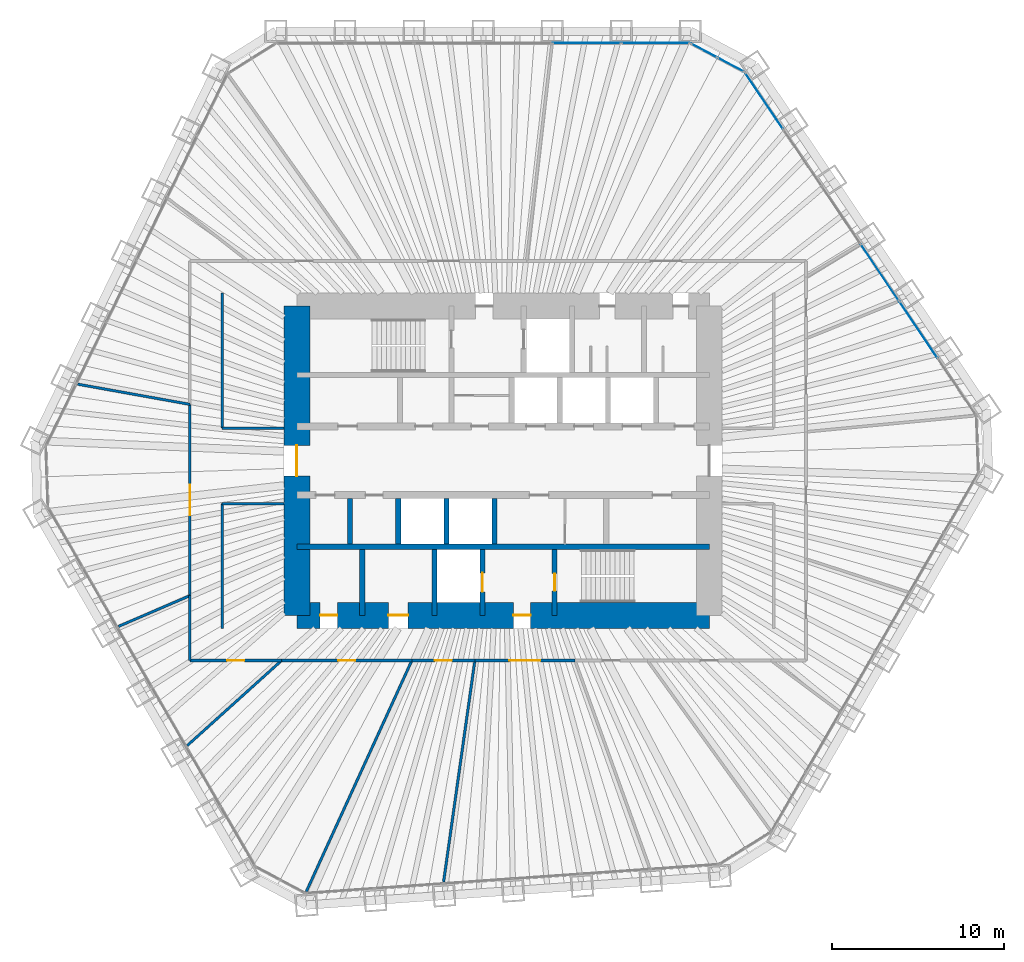
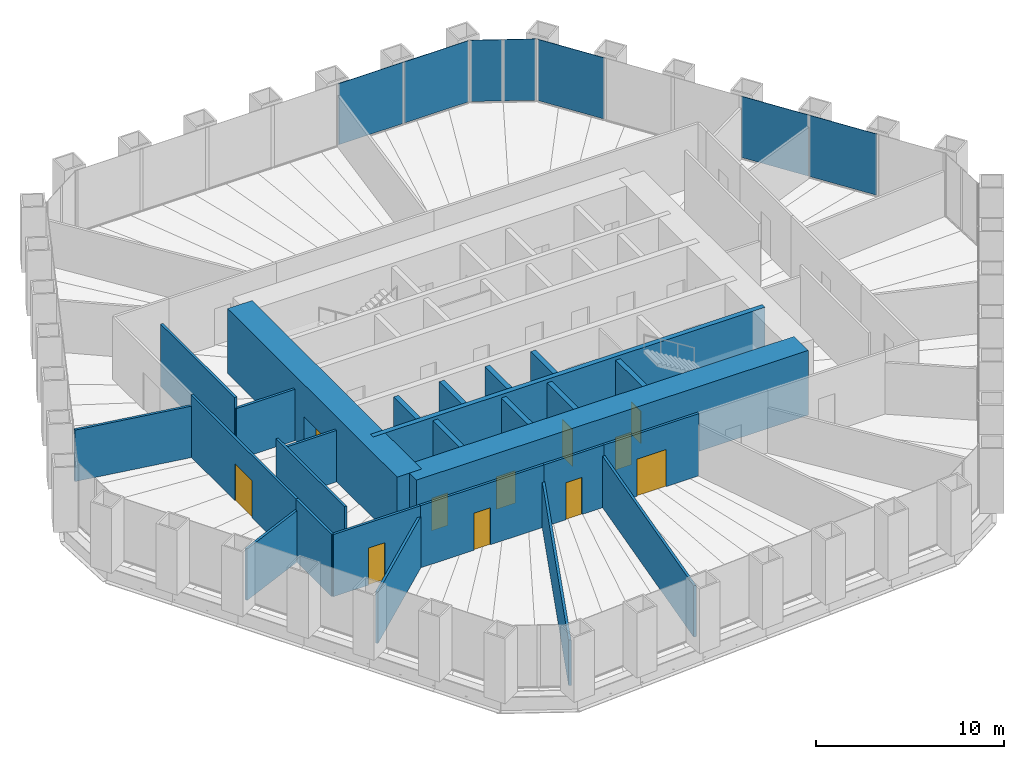
# One storey, part 10 of 13: 26 walls, 11 doors, 7 plates, 11 openings, 3 elements without a shape of their own.
"""IFC4 building model written with IfcOpenShell, lengths in metres."""

import ifcopenshell
import ifcopenshell.guid

model = None  # the IFC model being written
_history = None  # IfcOwnerHistory: only IFC2X3 demands one
_inside = {}  # id of a spatial element -> (the spatial element, [elements in it])
_under = {}  # id of a project, library or spatial element -> (it, [spatial elements below it])
_declared = {}  # id of a project -> (the project, [libraries it declares])
_typed = {}  # id of a type object -> (the type object, [elements of that type])
_made_of = {}  # id of a material, layer set ... -> (it, [elements and type objects made of it])


def new_model(schema):
    """Start an empty IFC model of exactly this schema.

    Asked for "IFC4X3", IfcOpenShell would pick the latest addendum, in which some entities
    have other attributes; the version numbers below select the first issue.
    IFC2X3 requires an IfcOwnerHistory on every rooted entity: one is made here for all.
    """
    global model, _history
    if schema == "IFC4X3":
        model = ifcopenshell.file(schema_version=(4, 3, 0, 0))
    else:
        model = ifcopenshell.file(schema=schema)
    _inside.clear()
    _under.clear()
    _declared.clear()
    _typed.clear()
    _made_of.clear()
    _history = None
    if model.schema == "IFC2X3":
        org = make("IfcOrganization", Name="unknown")
        user = make(
            "IfcPersonAndOrganization",
            ThePerson=make("IfcPerson", FamilyName="unknown"),
            TheOrganization=org,
        )
        app = make(
            "IfcApplication",
            ApplicationDeveloper=org,
            Version="unknown",
            ApplicationFullName="unknown",
            ApplicationIdentifier="unknown",
        )
        _history = make(
            "IfcOwnerHistory",
            OwningUser=user,
            OwningApplication=app,
            ChangeAction="ADDED",
            CreationDate=0,
        )
    return model


def make(cls, **values):
    """One entity of the class cls with the attributes given. An attribute that is None is left unset."""
    return model.create_entity(
        cls, **{name: value for name, value in values.items() if value is not None}
    )


def rooted(cls, **values):
    """An entity with a GlobalId (a new one), such as an element, a storey or a relation."""
    return make(cls, GlobalId=ifcopenshell.guid.new(), OwnerHistory=_history, **values)


def si_unit(unit_type, name, prefix=None):
    """IfcSIUnit, for example si_unit("LENGTHUNIT", "METRE", prefix="MILLI")."""
    return make("IfcSIUnit", UnitType=unit_type, Prefix=prefix, Name=name)


def assignment(units):
    """IfcUnitAssignment: the units of a project."""
    return None if units is None else make("IfcUnitAssignment", Units=units)


def point(xyz):
    """IfcCartesianPoint."""
    return None if xyz is None else make("IfcCartesianPoint", Coordinates=xyz)


def direction(xyz):
    """IfcDirection."""
    return None if xyz is None else make("IfcDirection", DirectionRatios=xyz)


def frame(location, z_axis=None, x_axis=None):
    """IfcAxis2Placement3D, a coordinate frame: its origin and axes. An axis left out is left unset."""
    return make(
        "IfcAxis2Placement3D",
        Location=point(location),
        Axis=direction(z_axis),
        RefDirection=direction(x_axis),
    )


def frame_2d(location, x_axis=None):
    """IfcAxis2Placement2D, a coordinate frame in the plane: its origin and x axis."""
    return make(
        "IfcAxis2Placement2D", Location=point(location), RefDirection=direction(x_axis)
    )


def origin():
    """The frame at (0, 0, 0) with its axes left unset."""
    return frame((0.0, 0.0, 0.0))


def origin_2d():
    """The frame at (0, 0) in the plane with its x axis left unset."""
    return frame_2d((0.0, 0.0))


def place(relative_to, where):
    """IfcLocalPlacement: puts the frame where relative to a parent placement (None: the world)."""
    return make(
        "IfcLocalPlacement", PlacementRelTo=relative_to, RelativePlacement=where
    )


def context(
    kind, dimensions, precision=None, world=None, true_north=None, identifier=None
):
    """IfcGeometricRepresentationContext, for example the 3D "Model" context."""
    return make(
        "IfcGeometricRepresentationContext",
        ContextIdentifier=identifier,
        ContextType=kind,
        CoordinateSpaceDimension=dimensions,
        Precision=precision,
        WorldCoordinateSystem=world,
        TrueNorth=true_north,
    )


def subcontext(parent, identifier, kind, view, scale=None):
    """IfcGeometricRepresentationSubContext, for example "Body" below "Model"."""
    return make(
        "IfcGeometricRepresentationSubContext",
        ContextIdentifier=identifier,
        ContextType=kind,
        ParentContext=parent,
        TargetScale=scale,
        TargetView=view,
    )


def project(units=None, contexts=None):
    """IfcProject with its units and contexts."""
    return rooted(
        "IfcProject",
        Name="project",
        RepresentationContexts=contexts,
        UnitsInContext=assignment(units),
    )


def spatial(cls, under=None, at=None, **own):
    """A site, building, storey or space (cls), placed at a placement, below another one or the project."""
    s = rooted(cls, ObjectPlacement=at, **own)
    if under is not None:
        _under.setdefault(under.id(), (under, []))[1].append(s)
    return s


def profile(cls, at=None, kind="AREA", **sizes):
    """A parametric profile (cls). Its sizes go by their IFC names, for example OverallWidth=200.0."""
    return make(cls, ProfileType=kind, Position=at, **sizes)


def rectangle(**sizes):
    """IfcRectangleProfileDef."""
    return profile("IfcRectangleProfileDef", **sizes)


def extrude(swept, where, along, depth):
    """IfcExtrudedAreaSolid: the profile swept, set in the frame where, extruded along a direction by depth."""
    return make(
        "IfcExtrudedAreaSolid",
        SweptArea=swept,
        Position=where,
        ExtrudedDirection=direction(along),
        Depth=depth,
    )


def shape(context_of_items, identifier, shape_type, items):
    """IfcShapeRepresentation: the items that make up one representation, for example the "Body"."""
    return make(
        "IfcShapeRepresentation",
        ContextOfItems=context_of_items,
        RepresentationIdentifier=identifier,
        RepresentationType=shape_type,
        Items=items,
    )


def material(Name=None, Category=None):
    """IfcMaterial."""
    return make("IfcMaterial", Name=Name, Category=Category)


def layer(
    of_material, thickness, ventilated=None, Name=None, Category=None, Priority=None
):
    """IfcMaterialLayer: one layer of a wall or slab, of a material (None: an air gap)."""
    return make(
        "IfcMaterialLayer",
        Material=of_material,
        LayerThickness=thickness,
        IsVentilated=ventilated,
        Name=Name,
        Category=Category,
        Priority=Priority,
    )


def layer_set(layers, Name=None):
    """IfcMaterialLayerSet."""
    return make("IfcMaterialLayerSet", MaterialLayers=layers, LayerSetName=Name)


def made_of(thing, what):
    """Note that an element or type object is made of a material, layer set ...; save() writes the relation."""
    if what is not None:
        _made_of.setdefault(what.id(), (what, []))[1].append(thing)
    return thing


def type_object(cls, material=None, **own):
    """A type object (cls), such as IfcWallType, which elements share."""
    return made_of(rooted(cls, **own), material)


def element(
    cls,
    number,
    at=None,
    inside=None,
    cuts=None,
    type_object=None,
    material=None,
    context=None,
    identifier="Body",
    shape_type=None,
    held_by="IfcProductDefinitionShape",
    body=None,
    shapes=None,
    **own,
):
    """One element of the class cls, such as IfcWall. Its Tag is "e" and its number.

    at: its placement. inside: the storey or other place that contains it. cuts: it is an
    opening in that element (IfcRelVoidsElement). A single representation is given by context,
    identifier, shape_type and body (its items); several are given by shapes. held_by: the class
    of the entity that holds the representations. save() writes the other relations.
    """
    e = rooted(cls, Tag="e%d" % number, ObjectPlacement=at, **own)
    if body is not None:
        shapes = [shape(context, identifier, shape_type, body)]
    if shapes is not None:
        e.Representation = make(held_by, Representations=shapes)
    if inside is not None:
        _inside.setdefault(inside.id(), (inside, []))[1].append(e)
    if cuts is not None:
        rooted(
            "IfcRelVoidsElement", RelatingBuildingElement=cuts, RelatedOpeningElement=e
        )
    if type_object is not None:
        _typed.setdefault(type_object.id(), (type_object, []))[1].append(e)
    return made_of(e, material)


def fill(opening, filler):
    """IfcRelFillsElement: the door or window that sits in an opening."""
    return rooted(
        "IfcRelFillsElement",
        RelatingOpeningElement=opening,
        RelatedBuildingElement=filler,
    )


def aggregate(whole, parts):
    """IfcRelAggregates: a whole, such as a stair, and the parts it consists of."""
    return rooted("IfcRelAggregates", RelatingObject=whole, RelatedObjects=parts)


def save(model, path):
    """Write the relations noted so far, then the file.

    IfcRelAggregates (storeys below a building ...), IfcRelContainedInSpatialStructure (elements
    in a storey), IfcRelDefinesByType, IfcRelAssociatesMaterial and IfcRelDeclares: one each for
    every whole, place, type object, material and project.
    """
    for whole, parts in _under.values():
        aggregate(whole, parts)
    for where, things in _inside.values():
        rooted(
            "IfcRelContainedInSpatialStructure",
            RelatedElements=things,
            RelatingStructure=where,
        )
    for kind, things in _typed.values():
        rooted("IfcRelDefinesByType", RelatedObjects=things, RelatingType=kind)
    for what, things in _made_of.values():
        rooted("IfcRelAssociatesMaterial", RelatedObjects=things, RelatingMaterial=what)
    for by, libraries in _declared.values():
        rooted("IfcRelDeclares", RelatingContext=by, RelatedDefinitions=libraries)
    model.write(path)


model = new_model("IFC4")

# Units and contexts
model_context = context("Model", 3, precision=1e-05, world=origin(), true_north=direction((0.0, 1.0)))
body_context = subcontext(model_context, "Body", "Model", "MODEL_VIEW")
ifc_project = project(units=[si_unit("LENGTHUNIT", "METRE"), si_unit("AREAUNIT", "SQUARE_METRE"), si_unit("VOLUMEUNIT", "CUBIC_METRE"), si_unit("PLANEANGLEUNIT", "RADIAN"), si_unit("MASSUNIT", "GRAM", prefix="KILO")], contexts=[model_context])

# Site, building, storey
site_placement = place(None, origin())
site = spatial("IfcSite", under=ifc_project, at=site_placement, CompositionType="ELEMENT")
building_placement = place(site_placement, origin())
building = spatial("IfcBuilding", under=site, at=building_placement, Name="Qingtian Harvest Tower", CompositionType="ELEMENT")
storey_placement = place(building_placement, frame((0.0, 0.0, 124.0)))
storey = spatial("IfcBuildingStorey", under=building, at=storey_placement, Name="L25", CompositionType="ELEMENT", Elevation=124.0)

# Curtain wall, plates
ifc_material_1 = material(Name="Bronze-anodised aluminium curtain wall", Category="aluminium")
curtain_wall_type = type_object("IfcCurtainWallType", Name="Curtain wall CW4 office", PredefinedType="USERDEFINED", material=ifc_material_1)
curtain_wall_1_placement = place(storey_placement, origin())
curtain_wall_1 = element("IfcCurtainWall", 1, at=curtain_wall_1_placement, inside=storey, type_object=curtain_wall_type, Name="Curtain wall CW4 L25 N0-5", ObjectType="RECESSED CURTAIN WALL", PredefinedType="USERDEFINED")
ifc_material_2 = material(Name="Bronze-tinted laminated insulating glass", Category="glass")
ifc_layer_1 = layer(ifc_material_2, 0.030029296875)
ifc_layer_set_1 = layer_set([ifc_layer_1], Name="Glazed panel CWP tinted IGU")
plate_type = type_object("IfcPlateType", Name="Glazed panel CWP tinted IGU", PredefinedType="CURTAIN_PANEL", material=ifc_layer_set_1)
plate_1_placement = place(storey_placement, frame((4.864013671875, 24.300048828125, 0.06494140625), z_axis=(0.0, 0.0, 1.0), x_axis=(1.0, 0.0, 0.0)))
plate_1 = element("IfcPlate", 2, at=plate_1_placement, type_object=plate_type, Name="CW4 panel 5.1", PredefinedType="CURTAIN_PANEL", context=body_context, shape_type="SweptSolid", body=[
    extrude(rectangle(XDim=3.9541015625, YDim=0.030029296875, at=origin_2d()), origin(), (0.0, 0.0, 1.0), 3.965087890625),
])
plate_2_placement = place(storey_placement, frame((8.866943359375, 24.300048828125, 0.06494140625), z_axis=(0.0, 0.0, 1.0), x_axis=(1.0, 0.0, 0.0)))
plate_2 = element("IfcPlate", 3, at=plate_2_placement, type_object=plate_type, Name="CW4 panel 6.1", PredefinedType="CURTAIN_PANEL", context=body_context, shape_type="SweptSolid", body=[
    extrude(rectangle(XDim=3.921630859375, YDim=0.030029296875, at=origin_2d()), origin(), (0.0, 0.0, 1.0), 3.965087890625),
])
aggregate(curtain_wall_1, [plate_1, plate_2])

curtain_wall_2_placement = place(storey_placement, origin())
curtain_wall_2 = element("IfcCurtainWall", 4, at=curtain_wall_2_placement, inside=storey, type_object=curtain_wall_type, Name="Curtain wall CW4 L25 NC", ObjectType="RECESSED CURTAIN WALL", PredefinedType="USERDEFINED")
plate_3_placement = place(storey_placement, frame((11.697509765625, 23.8720703125, 0.06494140625), z_axis=(0.0, 0.0, 1.0), x_axis=(0.882947592859, -0.469471562786, 0.0)))
plate_3 = element("IfcPlate", 5, at=plate_3_placement, type_object=plate_type, Name="CW4 panel 1.1", PredefinedType="CURTAIN_PANEL", context=body_context, shape_type="SweptSolid", body=[
    extrude(rectangle(XDim=1.69287109375, YDim=0.030029296875, at=origin_2d()), origin(), (0.0, 0.0, 1.0), 3.965087890625),
])
plate_4_placement = place(storey_placement, frame((13.249755859375, 23.046875, 0.06494140625), z_axis=(0.0, 0.0, 1.0), x_axis=(0.882947592859, -0.469471562786, 0.0)))
plate_4 = element("IfcPlate", 6, at=plate_4_placement, type_object=plate_type, Name="CW4 panel 2.1", PredefinedType="CURTAIN_PANEL", context=body_context, shape_type="SweptSolid", body=[
    extrude(rectangle(XDim=1.69287109375, YDim=0.030029296875, at=origin_2d()), origin(), (0.0, 0.0, 1.0), 3.965087890625),
])
aggregate(curtain_wall_2, [plate_3, plate_4])

curtain_wall_3_placement = place(storey_placement, origin())
curtain_wall_3 = element("IfcCurtainWall", 7, at=curtain_wall_3_placement, inside=storey, type_object=curtain_wall_type, Name="Curtain wall CW4 L25 NE0-5", ObjectType="RECESSED CURTAIN WALL", PredefinedType="USERDEFINED")
plate_5_placement = place(storey_placement, frame((15.187255859375, 20.939453125, 0.06494140625), z_axis=(0.0, 0.0, 1.0), x_axis=(0.559192903471, -0.829037572555, 0.0)))
plate_5 = element("IfcPlate", 8, at=plate_5_placement, type_object=plate_type, Name="CW4 panel 1.1", PredefinedType="CURTAIN_PANEL", context=body_context, shape_type="SweptSolid", body=[
    extrude(rectangle(XDim=3.921630859375, YDim=0.030029296875, at=origin_2d()), origin(), (0.0, 0.0, 1.0), 3.965087890625),
])
plate_6_placement = place(storey_placement, frame((21.92041015625, 10.95703125, 0.06494140625), z_axis=(0.0, 0.0, 1.0), x_axis=(0.559192903471, -0.829037572555, 0.0)))
plate_6 = element("IfcPlate", 9, at=plate_6_placement, type_object=plate_type, Name="CW4 panel 4.1", PredefinedType="CURTAIN_PANEL", context=body_context, shape_type="SweptSolid", body=[
    extrude(rectangle(XDim=3.9541015625, YDim=0.030029296875, at=origin_2d()), origin(), (0.0, 0.0, 1.0), 3.965087890625),
])
plate_7_placement = place(storey_placement, frame((24.16796875, 7.625, 0.06494140625), z_axis=(0.0, 0.0, 1.0), x_axis=(0.559192903471, -0.829037572555, 0.0)))
plate_7 = element("IfcPlate", 10, at=plate_7_placement, type_object=plate_type, Name="CW4 panel 5.1", PredefinedType="CURTAIN_PANEL", context=body_context, shape_type="SweptSolid", body=[
    extrude(rectangle(XDim=3.9541015625, YDim=0.030029296875, at=origin_2d()), origin(), (0.0, 0.0, 1.0), 3.965087890625),
])
aggregate(curtain_wall_3, [plate_5, plate_6, plate_7])

# Walls
ifc_material_3 = material(Name="Concrete fc' 70 MPa", Category="concrete")
ifc_layer_2 = layer(ifc_material_3, 0.300048828125)
ifc_layer_set_2 = layer_set([ifc_layer_2], Name="Core inner wall RC5 300")
wall_type_1 = type_object("IfcWallType", Name="Core inner wall RC5 300", PredefinedType="SHEAR", material=ifc_layer_set_2)
wall_1_placement = place(storey_placement, frame((-12.0, -5.0, 0.0), z_axis=(0.0, 0.0, 1.0), x_axis=(1.0, 0.0, 0.0)))
element("IfcWall", 11, at=wall_1_placement, inside=storey, type_object=wall_type_1, Name="Core wall IS5 L25", PredefinedType="SHEAR", context=body_context, shape_type="SweptSolid", body=[
    extrude(rectangle(XDim=24.0, YDim=0.300048828125, at=frame_2d((12.0, 0.0))), origin(), (0.0, 0.0, 1.0), 4.199951171875),
])
ifc_material_4 = material(Name="Precast concrete shaft panel", Category="concrete")
ifc_layer_3 = layer(ifc_material_4, 0.300048828125)
ifc_layer_set_3 = layer_set([ifc_layer_3], Name="Core shaft partition SW1 300")
wall_type_2 = type_object("IfcWallType", Name="Core shaft partition SW1 300", PredefinedType="PARTITIONING", material=ifc_layer_set_3)
for number, where, z_axis, x_axis, name in (
    (12, (-8.89990234375, -4.85009765625, 0.0), (0.0, 0.0, 1.0), (0.0, 1.0, 0.0), "Core shaft partition XB1 L25"),
    (13, (-6.10009765625, -4.85009765625, 0.0), (0.0, 0.0, 1.0), (0.0, 1.0, 0.0), "Core shaft partition XB2 L25"),
    (14, (-3.300048828125, -4.85009765625, 0.0), (0.0, 0.0, 1.0), (0.0, 1.0, 0.0), "Core shaft partition XB3 L25"),
    (15, (-0.5, -4.85009765625, 0.0), (0.0, 0.0, 1.0), (0.0, 1.0, 0.0), "Core shaft partition XB4 L25"),
):
    element("IfcWall", number, at=place(storey_placement, frame(where, z_axis=z_axis, x_axis=x_axis)), inside=storey, type_object=wall_type_2, Name=name, PredefinedType="PARTITIONING", context=body_context, shape_type="SweptSolid", body=[
        extrude(rectangle(XDim=2.650146484375, YDim=0.300048828125, at=frame_2d((1.3251953125, 0.0))), origin(), (0.0, 0.0, 1.0), 3.97998046875),
    ])
for number, where, z_axis, x_axis, name in (
    (16, (-8.199951171875, -9.0, 0.0), (0.0, 0.0, 1.0), (0.0, 1.0, 0.0), "Core shaft partition XS1 L25"),
    (17, (-4.0, -9.0, 0.0), (0.0, 0.0, 1.0), (0.0, 1.0, 0.0), "Core shaft partition XS2 L25"),
):
    element("IfcWall", number, at=place(storey_placement, frame(where, z_axis=z_axis, x_axis=x_axis)), inside=storey, type_object=wall_type_2, Name=name, PredefinedType="PARTITIONING", context=body_context, shape_type="SweptSolid", body=[
        extrude(rectangle(XDim=3.85009765625, YDim=0.300048828125, at=frame_2d((1.925048828125, 0.0))), origin(), (0.0, 0.0, 1.0), 3.97998046875),
    ])

# Wall, opening, door
wall_2_placement = place(storey_placement, frame((-1.199951171875, -9.0, 0.0), z_axis=(0.0, 0.0, 1.0), x_axis=(0.0, 1.0, 0.0)))
wall_2 = element("IfcWall", 18, at=wall_2_placement, inside=storey, type_object=wall_type_2, Name="Core shaft partition XS3 L25", PredefinedType="PARTITIONING", context=body_context, shape_type="SweptSolid", body=[
    extrude(rectangle(XDim=3.85009765625, YDim=0.300048828125, at=frame_2d((1.925048828125, 0.0))), origin(), (0.0, 0.0, 1.0), 3.97998046875),
])
opening_1_placement = place(wall_2_placement, frame((1.375, 0.0, 0.0)))
opening_1 = element("IfcOpeningElement", 19, at=opening_1_placement, cuts=wall_2, Name="Opening LD1", PredefinedType="OPENING", context=body_context, shape_type="SweptSolid", body=[
    extrude(rectangle(XDim=1.10009765625, YDim=2.39990234375, at=frame_2d((0.550048828125, 1.199951171875))), frame((0.0, 0.159912109375, 0.0), z_axis=(0.0, -1.0, 0.0), x_axis=(1.0, 0.0, 0.0)), (0.0, 0.0, 1.0), 0.320068359375),
])
ifc_material_5 = material(Name="Stainless steel lift landing door", Category="steel")
door_type_1 = type_object("IfcDoorType", Name="Lift landing door LD1 1 HR", OperationType="DOUBLE_DOOR_SLIDING", PredefinedType="DOOR", material=ifc_material_5)
door_1_placement = place(opening_1_placement, origin())
door_1 = element("IfcDoor", 20, at=door_1_placement, inside=storey, type_object=door_type_1, Name="FL2 landing door L25", OperationType="DOUBLE_DOOR_SLIDING", OverallHeight=2.39990234375, OverallWidth=1.10009765625, PredefinedType="DOOR", context=body_context, shape_type="SweptSolid", body=[
    extrude(rectangle(XDim=1.10009765625, YDim=2.39990234375, at=frame_2d((0.550048828125, 1.199951171875))), frame((0.0, 0.02490234375, 0.0), z_axis=(0.0, -1.0, 0.0), x_axis=(1.0, 0.0, 0.0)), (0.0, 0.0, 1.0), 0.050048828125),
])
fill(opening_1, door_1)

wall_3_placement = place(storey_placement, frame((3.0, -9.0, 0.0), z_axis=(0.0, 0.0, 1.0), x_axis=(0.0, 1.0, 0.0)))
wall_3 = element("IfcWall", 21, at=wall_3_placement, inside=storey, type_object=wall_type_2, Name="Core shaft partition XS4 L25", PredefinedType="PARTITIONING", context=body_context, shape_type="SweptSolid", body=[
    extrude(rectangle(XDim=3.85009765625, YDim=0.300048828125, at=frame_2d((1.925048828125, 0.0))), origin(), (0.0, 0.0, 1.0), 3.97998046875),
])
opening_2_placement = place(wall_3_placement, frame((1.425048828125, 0.0, 0.0)))
opening_2 = element("IfcOpeningElement", 22, at=opening_2_placement, cuts=wall_3, Name="Opening FD1", PredefinedType="OPENING", context=body_context, shape_type="SweptSolid", body=[
    extrude(rectangle(XDim=1.0, YDim=2.10009765625, at=frame_2d((0.5, 1.050048828125))), frame((0.0, 0.159912109375, 0.0), z_axis=(0.0, -1.0, 0.0), x_axis=(1.0, 0.0, 0.0)), (0.0, 0.0, 1.0), 0.320068359375),
])
ifc_material_6 = material(Name="Steel-faced door leaf", Category="steel")
door_type_2 = type_object("IfcDoorType", Name="Fire door FD1 single 1 HR", OperationType="SINGLE_SWING_LEFT", PredefinedType="DOOR", material=ifc_material_6)
door_2_placement = place(opening_2_placement, origin())
door_2 = element("IfcDoor", 23, at=door_2_placement, inside=storey, type_object=door_type_2, Name="S2 door L25", OperationType="SINGLE_SWING_LEFT", OverallHeight=2.10009765625, OverallWidth=1.0, PredefinedType="DOOR", context=body_context, shape_type="SweptSolid", body=[
    extrude(rectangle(XDim=1.0, YDim=2.10009765625, at=frame_2d((0.5, 1.050048828125))), frame((0.0, 0.02490234375, 0.0), z_axis=(0.0, -1.0, 0.0), x_axis=(1.0, 0.0, 0.0)), (0.0, 0.0, 1.0), 0.050048828125),
])
fill(opening_2, door_2)

# Wall, openings, doors
ifc_material_7 = material(Name="Concrete fc' 70 MPa", Category="concrete")
ifc_layer_4 = layer(ifc_material_7, 1.5)
ifc_layer_set_4 = layer_set([ifc_layer_4], Name="Core wall RC1 1500")
wall_type_3 = type_object("IfcWallType", Name="Core wall RC1 1500", PredefinedType="SHEAR", material=ifc_layer_set_4)
wall_4_placement = place(storey_placement, frame((-12.0, -9.0, 0.0), z_axis=(0.0, 0.0, 1.0), x_axis=(1.0, 0.0, 0.0)))
wall_4 = element("IfcWall", 24, at=wall_4_placement, inside=storey, type_object=wall_type_3, Name="Core wall CS L25", PredefinedType="SHEAR", context=body_context, shape_type="SweptSolid", body=[
    extrude(rectangle(XDim=24.0, YDim=1.5, at=frame_2d((12.0, 0.0))), origin(), (0.0, 0.0, 1.0), 4.199951171875),
])
opening_3_placement = place(wall_4_placement, frame((1.35009765625, 0.0, 0.0)))
opening_3 = element("IfcOpeningElement", 25, at=opening_3_placement, cuts=wall_4, Name="Opening FD1", PredefinedType="OPENING", context=body_context, shape_type="SweptSolid", body=[
    extrude(rectangle(XDim=1.0, YDim=2.10009765625, at=frame_2d((0.5, 1.050048828125))), frame((0.0, 0.760009765625, 0.0), z_axis=(0.0, -1.0, 0.0), x_axis=(1.0, 0.0, 0.0)), (0.0, 0.0, 1.0), 1.52001953125),
])
opening_4_placement = place(wall_4_placement, frame((5.324951171875, 0.0, 0.0)))
opening_4 = element("IfcOpeningElement", 26, at=opening_4_placement, cuts=wall_4, Name="Opening AD1", PredefinedType="OPENING", context=body_context, shape_type="SweptSolid", body=[
    extrude(rectangle(XDim=1.14990234375, YDim=2.10009765625, at=frame_2d((0.574951171875, 1.050048828125))), frame((0.0, 0.760009765625, 0.0), z_axis=(0.0, -1.0, 0.0), x_axis=(1.0, 0.0, 0.0)), (0.0, 0.0, 1.0), 1.52001953125),
])
opening_5_placement = place(wall_4_placement, frame((12.60009765625, 0.0, 0.0)))
opening_5 = element("IfcOpeningElement", 27, at=opening_5_placement, cuts=wall_4, Name="Opening FD1", PredefinedType="OPENING", context=body_context, shape_type="SweptSolid", body=[
    extrude(rectangle(XDim=1.0, YDim=2.10009765625, at=frame_2d((0.5, 1.050048828125))), frame((0.0, 0.760009765625, 0.0), z_axis=(0.0, -1.0, 0.0), x_axis=(1.0, 0.0, 0.0)), (0.0, 0.0, 1.0), 1.52001953125),
])
ifc_material_8 = material(Name="Laminated timber door leaf", Category="wood")
door_type_3 = type_object("IfcDoorType", Name="Accessible WC door AD1 single", OperationType="SINGLE_SWING_LEFT", PredefinedType="DOOR", material=ifc_material_8)
door_3_placement = place(opening_4_placement, origin())
door_3 = element("IfcDoor", 28, at=door_3_placement, inside=storey, type_object=door_type_3, Name="AWC door L25", OperationType="SINGLE_SWING_LEFT", OverallHeight=2.10009765625, OverallWidth=1.14990234375, PredefinedType="DOOR", context=body_context, shape_type="SweptSolid", body=[
    extrude(rectangle(XDim=1.14990234375, YDim=2.10009765625, at=frame_2d((0.574951171875, 1.050048828125))), frame((0.0, 0.02490234375, 0.0), z_axis=(0.0, -1.0, 0.0), x_axis=(1.0, 0.0, 0.0)), (0.0, 0.0, 1.0), 0.050048828125),
])
fill(opening_4, door_3)
door_4_placement = place(opening_3_placement, origin())
door_4 = element("IfcDoor", 29, at=door_4_placement, inside=storey, type_object=door_type_2, Name="CLN door L25", OperationType="SINGLE_SWING_RIGHT", OverallHeight=2.10009765625, OverallWidth=1.0, PredefinedType="DOOR", context=body_context, shape_type="SweptSolid", body=[
    extrude(rectangle(XDim=1.0, YDim=2.10009765625, at=frame_2d((0.5, 1.050048828125))), frame((0.0, 0.02490234375, 0.0), z_axis=(0.0, -1.0, 0.0), x_axis=(1.0, 0.0, 0.0)), (0.0, 0.0, 1.0), 0.050048828125),
])
fill(opening_3, door_4)
door_5_placement = place(opening_5_placement, origin())
door_5 = element("IfcDoor", 30, at=door_5_placement, inside=storey, type_object=door_type_2, Name="V2 door L25", OperationType="SINGLE_SWING_LEFT", OverallHeight=2.10009765625, OverallWidth=1.0, PredefinedType="DOOR", context=body_context, shape_type="SweptSolid", body=[
    extrude(rectangle(XDim=1.0, YDim=2.10009765625, at=frame_2d((0.5, 1.050048828125))), frame((0.0, 0.02490234375, 0.0), z_axis=(0.0, -1.0, 0.0), x_axis=(1.0, 0.0, 0.0)), (0.0, 0.0, 1.0), 0.050048828125),
])
fill(opening_5, door_5)

# Wall, opening, door
wall_5_placement = place(storey_placement, frame((-12.0, -9.0, 0.0), z_axis=(0.0, 0.0, 1.0), x_axis=(0.0, 1.0, 0.0)))
wall_5 = element("IfcWall", 31, at=wall_5_placement, inside=storey, type_object=wall_type_3, Name="Core wall CW L25", PredefinedType="SHEAR", context=body_context, shape_type="SweptSolid", body=[
    extrude(rectangle(XDim=18.0, YDim=1.5, at=frame_2d((9.0, 0.0))), origin(), (0.0, 0.0, 1.0), 4.199951171875),
])
opening_6_placement = place(wall_5_placement, frame((8.10009765625, 0.0, 0.0)))
opening_6 = element("IfcOpeningElement", 32, at=opening_6_placement, cuts=wall_5, Name="Opening FD2", PredefinedType="OPENING", context=body_context, shape_type="SweptSolid", body=[
    extrude(rectangle(XDim=1.800048828125, YDim=2.10009765625, at=frame_2d((0.89990234375, 1.050048828125))), frame((0.0, 0.760009765625, 0.0), z_axis=(0.0, -1.0, 0.0), x_axis=(1.0, 0.0, 0.0)), (0.0, 0.0, 1.0), 1.52001953125),
])
ifc_material_9 = material(Name="Steel-faced door leaf", Category="steel")
door_type_4 = type_object("IfcDoorType", Name="Fire door FD2 double 1 HR", OperationType="DOUBLE_DOOR_DOUBLE_SWING", PredefinedType="DOOR", material=ifc_material_9)
door_6_placement = place(opening_6_placement, origin())
door_6 = element("IfcDoor", 33, at=door_6_placement, inside=storey, type_object=door_type_4, Name="LOBBY-W door L25", OperationType="DOUBLE_DOOR_DOUBLE_SWING", OverallHeight=2.10009765625, OverallWidth=1.800048828125, PredefinedType="DOOR", context=body_context, shape_type="SweptSolid", body=[
    extrude(rectangle(XDim=1.800048828125, YDim=2.10009765625, at=frame_2d((0.89990234375, 1.050048828125))), frame((0.0, 0.02490234375, 0.0), z_axis=(0.0, -1.0, 0.0), x_axis=(1.0, 0.0, 0.0)), (0.0, 0.0, 1.0), 0.050048828125),
])
fill(opening_6, door_6)

# Wall
ifc_material_10 = material(Name="Gypsum board on steel studs", Category="steel")
ifc_layer_5 = layer(ifc_material_10, 0.14990234375)
ifc_layer_set_5 = layer_set([ifc_layer_5], Name="Partition PT1 150")
wall_type_4 = type_object("IfcWallType", Name="Partition PT1 150", PredefinedType="PARTITIONING", material=ifc_layer_set_5)
wall_6_placement = place(storey_placement, frame((-3.4619140625, -24.50341796875, 0.0), z_axis=(0.0, 0.0, 1.0), x_axis=(0.139899618934, 0.990165691499, 0.0)))
element("IfcWall", 34, at=wall_6_placement, inside=storey, type_object=wall_type_4, Name="Microbiology lab wall L25", PredefinedType="PARTITIONING", context=body_context, shape_type="SweptSolid", body=[
    extrude(rectangle(XDim=13.00634765625, YDim=0.14990234375, at=frame_2d((6.503173828125, 0.0))), origin(), (0.0, 0.0, 1.0), 3.330078125),
])

# Wall, opening, door
wall_7_placement = place(storey_placement, frame((-1.642333984375, -11.625, 0.0), z_axis=(0.0, 0.0, 1.0), x_axis=(-1.0, 0.0, 0.0)))
wall_7 = element("IfcWall", 35, at=wall_7_placement, inside=storey, type_object=wall_type_4, Name="Microbiology lab wall L25", PredefinedType="PARTITIONING", context=body_context, shape_type="SweptSolid", body=[
    extrude(rectangle(XDim=3.66796875, YDim=0.14990234375, at=frame_2d((1.833984375, 0.0))), origin(), (0.0, 0.0, 1.0), 4.030029296875),
])
opening_7_placement = place(wall_7_placement, frame((1.333984375, 0.0, 0.0)))
opening_7 = element("IfcOpeningElement", 36, at=opening_7_placement, cuts=wall_7, Name="Opening D2", PredefinedType="OPENING", context=body_context, shape_type="SweptSolid", body=[
    extrude(rectangle(XDim=1.0, YDim=2.39990234375, at=frame_2d((0.5, 1.199951171875))), frame((0.0, 0.0849609375, 0.0), z_axis=(0.0, -1.0, 0.0), x_axis=(1.0, 0.0, 0.0)), (0.0, 0.0, 1.0), 0.169921875),
])
ifc_material_11 = material(Name="Laminated timber door leaf", Category="wood")
door_type_5 = type_object("IfcDoorType", Name="Room door D2 single", OperationType="SINGLE_SWING_LEFT", PredefinedType="DOOR", material=ifc_material_11)
door_7_placement = place(opening_7_placement, origin())
door_7 = element("IfcDoor", 37, at=door_7_placement, inside=storey, type_object=door_type_5, Name="Microbiology lab door L25", OperationType="SINGLE_SWING_RIGHT", OverallHeight=2.39990234375, OverallWidth=1.0, PredefinedType="DOOR", context=body_context, shape_type="SweptSolid", body=[
    extrude(rectangle(XDim=1.0, YDim=2.39990234375, at=frame_2d((0.5, 1.199951171875))), frame((0.0, 0.02490234375, 0.0), z_axis=(0.0, -1.0, 0.0), x_axis=(1.0, 0.0, 0.0)), (0.0, 0.0, 1.0), 0.050048828125),
])
fill(opening_7, door_7)

# Wall
wall_8_placement = place(storey_placement, frame((-11.452880859375, -25.072265625, 0.0), z_axis=(0.0, 0.0, 1.0), x_axis=(0.415494357555, 0.909595755729, 0.0)))
element("IfcWall", 38, at=wall_8_placement, inside=storey, type_object=wall_type_4, Name="Chemistry lab wall L25", PredefinedType="PARTITIONING", context=body_context, shape_type="SweptSolid", body=[
    extrude(rectangle(XDim=14.78369140625, YDim=0.14990234375, at=frame_2d((7.391845703125, 0.0))), origin(), (0.0, 0.0, 1.0), 2.929931640625),
])

# Wall, opening, door
wall_9_placement = place(storey_placement, frame((-5.310302734375, -11.625, 0.0), z_axis=(0.0, 0.0, 1.0), x_axis=(-1.0, 0.0, 0.0)))
wall_9 = element("IfcWall", 39, at=wall_9_placement, inside=storey, type_object=wall_type_4, Name="Chemistry lab wall L25", PredefinedType="PARTITIONING", context=body_context, shape_type="SweptSolid", body=[
    extrude(rectangle(XDim=7.581787109375, YDim=0.14990234375, at=frame_2d((3.791015625, 0.0))), origin(), (0.0, 0.0, 1.0), 4.030029296875),
])
opening_8_placement = place(wall_9_placement, frame((3.290771484375, 0.0, 0.0)))
opening_8 = element("IfcOpeningElement", 40, at=opening_8_placement, cuts=wall_9, Name="Opening D2", PredefinedType="OPENING", context=body_context, shape_type="SweptSolid", body=[
    extrude(rectangle(XDim=1.0, YDim=2.39990234375, at=frame_2d((0.5, 1.199951171875))), frame((0.0, 0.0849609375, 0.0), z_axis=(0.0, -1.0, 0.0), x_axis=(1.0, 0.0, 0.0)), (0.0, 0.0, 1.0), 0.169921875),
])
door_8_placement = place(opening_8_placement, origin())
door_8 = element("IfcDoor", 41, at=door_8_placement, inside=storey, type_object=door_type_5, Name="Chemistry lab door L25", OperationType="SINGLE_SWING_LEFT", OverallHeight=2.39990234375, OverallWidth=1.0, PredefinedType="DOOR", context=body_context, shape_type="SweptSolid", body=[
    extrude(rectangle(XDim=1.0, YDim=2.39990234375, at=frame_2d((0.5, 1.199951171875))), frame((0.0, 0.02490234375, 0.0), z_axis=(0.0, -1.0, 0.0), x_axis=(1.0, 0.0, 0.0)), (0.0, 0.0, 1.0), 0.050048828125),
])
fill(opening_8, door_8)

# Wall
wall_10_placement = place(storey_placement, frame((-18.37841796875, -16.572021484375, 0.0), z_axis=(0.0, 0.0, 1.0), x_axis=(0.742666079924, 0.669661924951, 0.0)))
element("IfcWall", 42, at=wall_10_placement, inside=storey, type_object=wall_type_4, Name="Office suite wall L25", PredefinedType="PARTITIONING", context=body_context, shape_type="SweptSolid", body=[
    extrude(rectangle(XDim=7.387451171875, YDim=0.14990234375, at=frame_2d((3.69384765625, 0.0))), origin(), (0.0, 0.0, 1.0), 3.330078125),
])

# Wall, opening, door
wall_11_placement = place(storey_placement, frame((-12.89208984375, -11.625, 0.0), z_axis=(0.0, 0.0, 1.0), x_axis=(-1.0, 0.0, 0.0)))
wall_11 = element("IfcWall", 43, at=wall_11_placement, inside=storey, type_object=wall_type_4, Name="Office suite wall L25", PredefinedType="PARTITIONING", context=body_context, shape_type="SweptSolid", body=[
    extrude(rectangle(XDim=5.3330078125, YDim=0.14990234375, at=frame_2d((2.66650390625, 0.0))), origin(), (0.0, 0.0, 1.0), 4.030029296875),
])
opening_9_placement = place(wall_11_placement, frame((2.16650390625, 0.0, 0.0)))
opening_9 = element("IfcOpeningElement", 44, at=opening_9_placement, cuts=wall_11, Name="Opening D2", PredefinedType="OPENING", context=body_context, shape_type="SweptSolid", body=[
    extrude(rectangle(XDim=1.0, YDim=2.39990234375, at=frame_2d((0.5, 1.199951171875))), frame((0.0, 0.0849609375, 0.0), z_axis=(0.0, -1.0, 0.0), x_axis=(1.0, 0.0, 0.0)), (0.0, 0.0, 1.0), 0.169921875),
])
door_9_placement = place(opening_9_placement, origin())
door_9 = element("IfcDoor", 45, at=door_9_placement, inside=storey, type_object=door_type_5, Name="Office suite door L25", OperationType="SINGLE_SWING_LEFT", OverallHeight=2.39990234375, OverallWidth=1.0, PredefinedType="DOOR", context=body_context, shape_type="SweptSolid", body=[
    extrude(rectangle(XDim=1.0, YDim=2.39990234375, at=frame_2d((0.5, 1.199951171875))), frame((0.0, 0.02490234375, 0.0), z_axis=(0.0, -1.0, 0.0), x_axis=(1.0, 0.0, 0.0)), (0.0, 0.0, 1.0), 0.050048828125),
])
fill(opening_9, door_9)

# Walls
wall_12_placement = place(storey_placement, frame((-18.22509765625, -11.625, 0.0), z_axis=(0.0, 0.0, 1.0), x_axis=(0.0, 1.0, 0.0)))
element("IfcWall", 46, at=wall_12_placement, inside=storey, type_object=wall_type_4, Name="Office suite wall L25", PredefinedType="PARTITIONING", context=body_context, shape_type="SweptSolid", body=[
    extrude(rectangle(XDim=3.776123046875, YDim=0.14990234375, at=frame_2d((1.88818359375, 0.0))), origin(), (0.0, 0.0, 1.0), 4.030029296875),
])
wall_13_placement = place(storey_placement, frame((-22.3798828125, -9.638427734375, 0.0), z_axis=(0.0, 0.0, 1.0), x_axis=(0.918428905659, 0.395586078181, 0.0)))
element("IfcWall", 47, at=wall_13_placement, inside=storey, type_object=wall_type_4, Name="Sensory lab wall L25", PredefinedType="PARTITIONING", context=body_context, shape_type="SweptSolid", body=[
    extrude(rectangle(XDim=4.523681640625, YDim=0.14990234375, at=frame_2d((2.26171875, 0.0))), origin(), (0.0, 0.0, 1.0), 3.330078125),
])

# Wall, opening, door
wall_14_placement = place(storey_placement, frame((-18.22509765625, -7.848876953125, 0.0), z_axis=(0.0, 0.0, 1.0), x_axis=(0.0, 1.0, 0.0)))
wall_14 = element("IfcWall", 48, at=wall_14_placement, inside=storey, type_object=wall_type_4, Name="Sensory lab wall L25", PredefinedType="PARTITIONING", context=body_context, shape_type="SweptSolid", body=[
    extrude(rectangle(XDim=11.1298828125, YDim=0.14990234375, at=frame_2d((5.56494140625, 0.0))), origin(), (0.0, 0.0, 1.0), 4.030029296875),
])
opening_10_placement = place(wall_14_placement, frame((4.6650390625, 0.0, 0.0)))
opening_10 = element("IfcOpeningElement", 49, at=opening_10_placement, cuts=wall_14, Name="Opening D3", PredefinedType="OPENING", context=body_context, shape_type="SweptSolid", body=[
    extrude(rectangle(XDim=1.800048828125, YDim=2.39990234375, at=frame_2d((0.89990234375, 1.199951171875))), frame((0.0, 0.0849609375, 0.0), z_axis=(0.0, -1.0, 0.0), x_axis=(1.0, 0.0, 0.0)), (0.0, 0.0, 1.0), 0.169921875),
])
ifc_material_12 = material(Name="Laminated timber door leaf", Category="wood")
door_type_6 = type_object("IfcDoorType", Name="Room door D3 double", OperationType="DOUBLE_DOOR_DOUBLE_SWING", PredefinedType="DOOR", material=ifc_material_12)
door_10_placement = place(opening_10_placement, origin())
door_10 = element("IfcDoor", 50, at=door_10_placement, inside=storey, type_object=door_type_6, Name="Sensory lab door L25", OperationType="DOUBLE_DOOR_DOUBLE_SWING", OverallHeight=2.39990234375, OverallWidth=1.800048828125, PredefinedType="DOOR", context=body_context, shape_type="SweptSolid", body=[
    extrude(rectangle(XDim=1.800048828125, YDim=2.39990234375, at=frame_2d((0.89990234375, 1.199951171875))), frame((0.0, 0.02490234375, 0.0), z_axis=(0.0, -1.0, 0.0), x_axis=(1.0, 0.0, 0.0)), (0.0, 0.0, 1.0), 0.050048828125),
])
fill(opening_10, door_10)

# Wall
wall_15_placement = place(storey_placement, frame((-24.75537109375, 4.456787109375, 0.0), z_axis=(0.0, 0.0, 1.0), x_axis=(0.984174598206, -0.177201467959, 0.0)))
element("IfcWall", 51, at=wall_15_placement, inside=storey, type_object=wall_type_4, Name="Test kitchen wall L25", PredefinedType="PARTITIONING", context=body_context, shape_type="SweptSolid", body=[
    extrude(rectangle(XDim=6.63525390625, YDim=0.14990234375, at=frame_2d((3.317626953125, 0.0))), origin(), (0.0, 0.0, 1.0), 3.330078125),
])

# Wall, opening, door
wall_16_placement = place(storey_placement, frame((4.18408203125, -11.625, 0.0), z_axis=(0.0, 0.0, 1.0), x_axis=(-1.0, 0.0, 0.0)))
wall_16 = element("IfcWall", 52, at=wall_16_placement, inside=storey, type_object=wall_type_4, Name="Meeting room wall L25", PredefinedType="PARTITIONING", context=body_context, shape_type="SweptSolid", body=[
    extrude(rectangle(XDim=5.826416015625, YDim=0.14990234375, at=frame_2d((2.9130859375, 0.0))), origin(), (0.0, 0.0, 1.0), 4.030029296875),
])
opening_11_placement = place(wall_16_placement, frame((2.01318359375, 0.0, 0.0)))
opening_11 = element("IfcOpeningElement", 53, at=opening_11_placement, cuts=wall_16, Name="Opening D3", PredefinedType="OPENING", context=body_context, shape_type="SweptSolid", body=[
    extrude(rectangle(XDim=1.800048828125, YDim=2.39990234375, at=frame_2d((0.89990234375, 1.199951171875))), frame((0.0, 0.0849609375, 0.0), z_axis=(0.0, -1.0, 0.0), x_axis=(1.0, 0.0, 0.0)), (0.0, 0.0, 1.0), 0.169921875),
])
door_11_placement = place(opening_11_placement, origin())
door_11 = element("IfcDoor", 54, at=door_11_placement, inside=storey, type_object=door_type_6, Name="Meeting room door L25", OperationType="DOUBLE_DOOR_DOUBLE_SWING", OverallHeight=2.39990234375, OverallWidth=1.800048828125, PredefinedType="DOOR", context=body_context, shape_type="SweptSolid", body=[
    extrude(rectangle(XDim=1.800048828125, YDim=2.39990234375, at=frame_2d((0.89990234375, 1.199951171875))), frame((0.0, 0.02490234375, 0.0), z_axis=(0.0, -1.0, 0.0), x_axis=(1.0, 0.0, 0.0)), (0.0, 0.0, 1.0), 0.050048828125),
])
fill(opening_11, door_11)

# Walls
wall_17_placement = place(storey_placement, frame((-16.35009765625, 1.89990234375, 0.0), z_axis=(0.0, 0.0, 1.0), x_axis=(0.0, 1.0, 0.0)))
element("IfcWall", 55, at=wall_17_placement, inside=storey, type_object=wall_type_4, Name="Reading area wall L25", PredefinedType="PARTITIONING", context=body_context, shape_type="SweptSolid", body=[
    extrude(rectangle(XDim=7.85009765625, YDim=0.14990234375, at=frame_2d((3.925048828125, 0.0))), origin(), (0.0, 0.0, 1.0), 4.030029296875),
])
wall_18_placement = place(storey_placement, frame((-12.75, 1.89990234375, 0.0), z_axis=(0.0, 0.0, 1.0), x_axis=(-1.0, 0.0, 0.0)))
element("IfcWall", 56, at=wall_18_placement, inside=storey, type_object=wall_type_4, Name="Reading area wall L25", PredefinedType="PARTITIONING", context=body_context, shape_type="SweptSolid", body=[
    extrude(rectangle(XDim=3.60009765625, YDim=0.14990234375, at=frame_2d((1.800048828125, 0.0))), origin(), (0.0, 0.0, 1.0), 3.330078125),
])
wall_19_placement = place(storey_placement, frame((-16.35009765625, -9.75, 0.0), z_axis=(0.0, 0.0, 1.0), x_axis=(0.0, 1.0, 0.0)))
element("IfcWall", 57, at=wall_19_placement, inside=storey, type_object=wall_type_4, Name="Coffee point wall L25", PredefinedType="PARTITIONING", context=body_context, shape_type="SweptSolid", body=[
    extrude(rectangle(XDim=7.25, YDim=0.14990234375, at=frame_2d((3.625, 0.0))), origin(), (0.0, 0.0, 1.0), 4.030029296875),
])
wall_20_placement = place(storey_placement, frame((-12.75, -2.5, 0.0), z_axis=(0.0, 0.0, 1.0), x_axis=(-1.0, 0.0, 0.0)))
element("IfcWall", 58, at=wall_20_placement, inside=storey, type_object=wall_type_4, Name="Coffee point wall L25", PredefinedType="PARTITIONING", context=body_context, shape_type="SweptSolid", body=[
    extrude(rectangle(XDim=3.60009765625, YDim=0.14990234375, at=frame_2d((1.800048828125, 0.0))), origin(), (0.0, 0.0, 1.0), 3.330078125),
])

save(model, "model.ifc")
